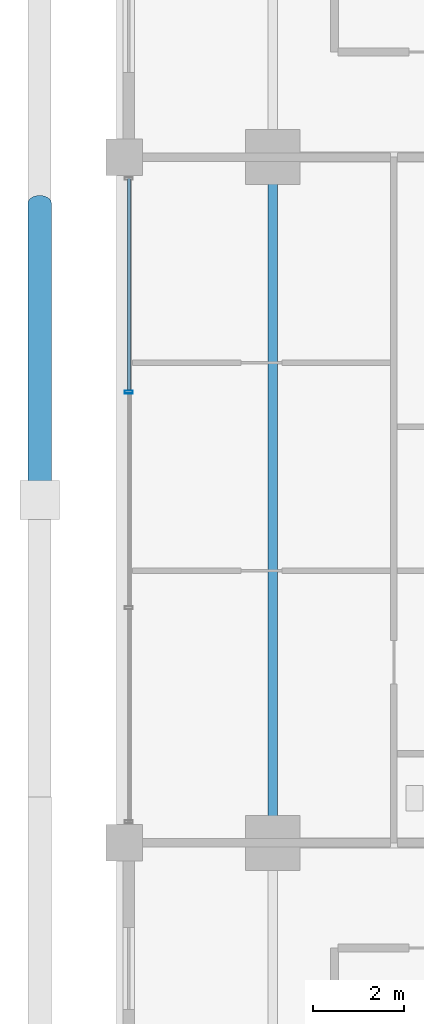
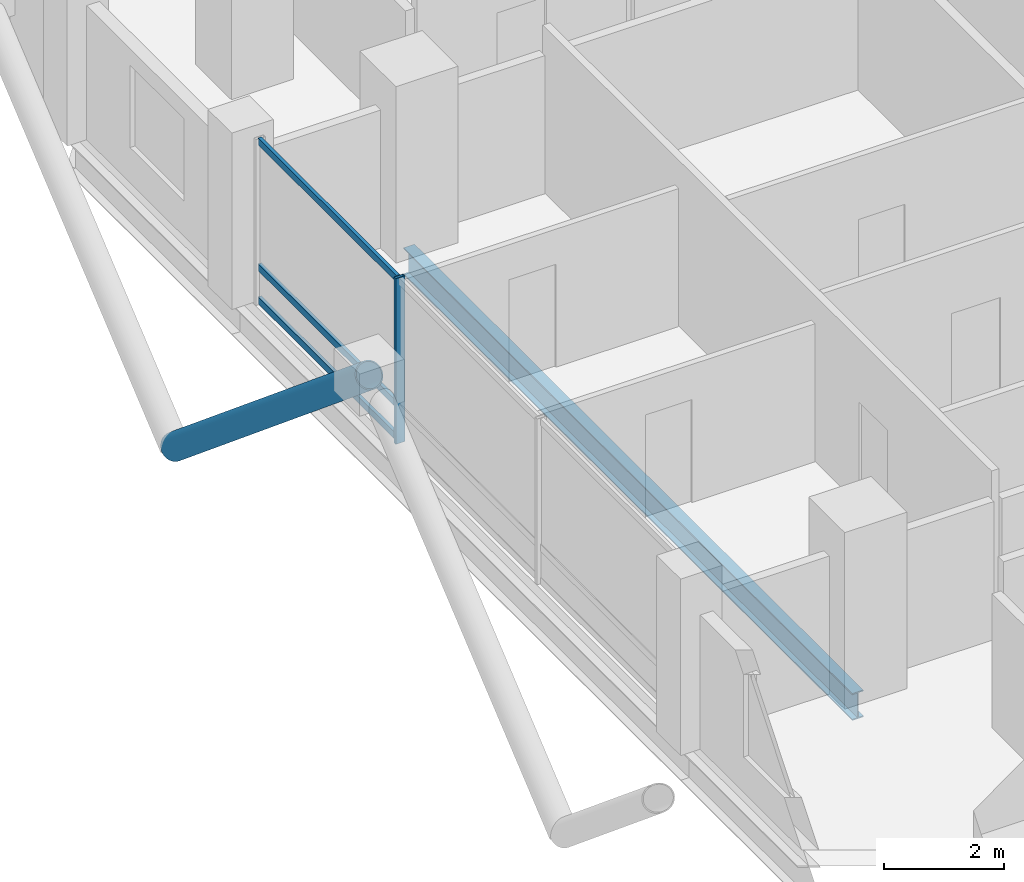
# One storey, part 6 of 23: 5 members, 1 beam, 1 element without a shape of its own.
"""IFC4 building model written with IfcOpenShell, lengths in metres."""

from ifc_helpers import new_model, si_unit, direction, frame, origin, origin_2d, place, context, subcontext, project, spatial, hollow_rectangle, hollow_circle, i_section, extrude, material, layer, layer_set, material_profile, profile_set, type_object, element, aggregate, save


model = new_model("IFC4")

# Units and contexts
model_context = context("Model", 3, precision=1e-05, world=origin(), true_north=direction((0.0, 1.0)))
body_context = subcontext(model_context, "Body", "Model", "MODEL_VIEW")
ifc_project = project(units=[si_unit("LENGTHUNIT", "METRE"), si_unit("AREAUNIT", "SQUARE_METRE"), si_unit("VOLUMEUNIT", "CUBIC_METRE"), si_unit("PLANEANGLEUNIT", "RADIAN"), si_unit("MASSUNIT", "GRAM", prefix="KILO")], contexts=[model_context])

# Site, building, storey
site_placement = place(None, origin())
site = spatial("IfcSite", under=ifc_project, at=site_placement, CompositionType="ELEMENT")
building_placement = place(site_placement, origin())
building = spatial("IfcBuilding", under=site, at=building_placement, Name="Barlavira Tower and Art Museum", CompositionType="ELEMENT")
storey_placement = place(building_placement, frame((0.0, 0.0, 140.39990234375)))
storey = spatial("IfcBuildingStorey", under=building, at=storey_placement, Name="L35", CompositionType="ELEMENT", Elevation=140.39990234375)

# Curtain wall, members
ifc_material_1 = material(Name="Low-iron coastal laminated glass", Category="glass")
ifc_layer = layer(ifc_material_1, 0.18994140625, Name="Low-iron coastal laminated glass")
ifc_layer_set = layer_set([ifc_layer], Name="Low-iron coastal laminated glass")
curtain_wall_type = type_object("IfcCurtainWallType", Name="Pale-Metal Unitised Curtain Wall Zone 2", PredefinedType="NOTDEFINED", material=ifc_layer_set)
curtain_wall_placement = place(storey_placement, origin())
curtain_wall = element("IfcCurtainWall", 1, at=curtain_wall_placement, inside=storey, type_object=curtain_wall_type, Name="L35 Curtain Wall CW2-L35-W-B3", PredefinedType="NOTDEFINED")
ifc_material_2 = material(Name="Pale anodised aluminium", Category="aluminium")
ifc_material_profile_1 = material_profile(ifc_material_2, hollow_rectangle(XDim=0.06494140625, YDim=0.179931640625, WallThickness=0.00390625, at=origin_2d()), Name="ALU-MULL 65x180x4")
ifc_profile_set_1 = profile_set([ifc_material_profile_1], Name="Pale anodised aluminium")
member_type_1 = type_object("IfcMemberType", Name="Curtain Wall Pale-Metal Mullion 65x180", PredefinedType="MULLION", material=ifc_profile_set_1)
member_1_placement = place(storey_placement, frame((-20.14990234375, 2.360107421875, 0.0), z_axis=(0.0, 0.0, 1.0), x_axis=(0.0, -1.0, 0.0)))
member_1 = element("IfcMember", 2, at=member_1_placement, type_object=member_type_1, Name="CW2-L35-W-B3 Mullion 1", PredefinedType="MULLION", context=body_context, shape_type="SweptSolid", body=[
    extrude(hollow_rectangle(XDim=0.06494140625, YDim=0.179931640625, WallThickness=0.00390625, at=origin_2d()), origin(), (0.0, 0.0, 1.0), 3.380126953125),
])
ifc_material_profile_2 = material_profile(ifc_material_2, hollow_rectangle(XDim=0.06494140625, YDim=0.139892578125, WallThickness=0.00390625, at=origin_2d()), Name="ALU-TRAN 65x140x4")
ifc_profile_set_2 = profile_set([ifc_material_profile_2], Name="Pale anodised aluminium")
member_type_2 = type_object("IfcMemberType", Name="Curtain Wall Pale-Metal Transom 65x140", PredefinedType="USERDEFINED", material=ifc_profile_set_2)
member_2_placement = place(storey_placement, frame((-20.14990234375, 7.034912109375, 0.070068359375), z_axis=(0.0, -1.0, 0.0), x_axis=(1.0, 0.0, 0.0)))
member_2 = element("IfcMember", 3, at=member_2_placement, type_object=member_type_2, Name="CW2-L35-W-B3 Transom 0.1", ObjectType="TRANSOM", PredefinedType="USERDEFINED", context=body_context, shape_type="SweptSolid", body=[
    extrude(hollow_rectangle(XDim=0.06494140625, YDim=0.139892578125, WallThickness=0.00390625, at=origin_2d()), origin(), (0.0, 0.0, 1.0), 4.6298828125),
])
member_3_placement = place(storey_placement, frame((-20.14990234375, 7.034912109375, 0.744140625), z_axis=(0.0, -1.0, 0.0), x_axis=(1.0, 0.0, 0.0)))
member_3 = element("IfcMember", 4, at=member_3_placement, type_object=member_type_2, Name="CW2-L35-W-B3 Transom 0.2", ObjectType="TRANSOM", PredefinedType="USERDEFINED", context=body_context, shape_type="SweptSolid", body=[
    extrude(hollow_rectangle(XDim=0.06494140625, YDim=0.139892578125, WallThickness=0.00390625, at=origin_2d()), origin(), (0.0, 0.0, 1.0), 4.6298828125),
])
member_4_placement = place(storey_placement, frame((-20.14990234375, 7.034912109375, 3.31005859375), z_axis=(0.0, -1.0, 0.0), x_axis=(1.0, 0.0, 0.0)))
member_4 = element("IfcMember", 5, at=member_4_placement, type_object=member_type_2, Name="CW2-L35-W-B3 Transom 0.3", ObjectType="TRANSOM", PredefinedType="USERDEFINED", context=body_context, shape_type="SweptSolid", body=[
    extrude(hollow_rectangle(XDim=0.06494140625, YDim=0.139892578125, WallThickness=0.00390625, at=origin_2d()), origin(), (0.0, 0.0, 1.0), 4.6298828125),
])
aggregate(curtain_wall, [member_1, member_2, member_3, member_4])

# Member
ifc_material_3 = material(Name="Steel S355", Category="steel")
ifc_material_profile_3 = material_profile(ifc_material_3, hollow_circle(Radius=0.25390625, WallThickness=0.022216796875, at=origin_2d()), Name="CHS 508.0x22.2")
ifc_profile_set_3 = profile_set([ifc_material_profile_3], Name="Steel S355")
member_type_3 = type_object("IfcMemberType", Name="Pale-Metal Exoskeleton Diagrid Tube CHS 508x22 Steel S355", PredefinedType="BRACE", material=ifc_profile_set_3)
member_5_placement = place(storey_placement, frame((-22.10009765625, 6.5, -1.919921875), z_axis=(0.0, -0.769196053329, 0.639012857104), x_axis=(1.0, 0.0, 0.0)))
element("IfcMember", 6, at=member_5_placement, inside=storey, type_object=member_type_3, Name="L35 Exoskeleton Diagrid Tube W", PredefinedType="BRACE", context=body_context, shape_type="SweptSolid", body=[
    extrude(hollow_circle(Radius=0.25390625, WallThickness=0.022216796875, at=origin_2d()), origin(), (0.0, 0.0, 1.0), 8.450439453125),
])

# Beam
ifc_material_profile_4 = material_profile(ifc_material_3, i_section(OverallWidth=0.214111328125, OverallDepth=0.549072265625, WebThickness=0.0146484375, FlangeThickness=0.023681640625, at=origin_2d()), Name="W530x138.0")
ifc_profile_set_4 = profile_set([ifc_material_profile_4], Name="Steel S355")
beam_type = type_object("IfcBeamType", Name="Zone 1 Primary Floor Girder W530x138 Steel S355", PredefinedType="BEAM", material=ifc_profile_set_4)
beam_placement = place(storey_placement, frame((-17.0, -7.5, -0.494384765625), z_axis=(0.0, 1.0, 0.0), x_axis=(-1.0, 0.0, 0.0)))
element("IfcBeam", 7, at=beam_placement, inside=storey, type_object=beam_type, Name="L35 Girder M-W2", PredefinedType="BEAM", context=body_context, shape_type="SweptSolid", body=[
    extrude(i_section(OverallWidth=0.214111328125, OverallDepth=0.549072265625, WebThickness=0.0146484375, FlangeThickness=0.023681640625, at=origin_2d()), origin(), (0.0, 0.0, 1.0), 15.0),
])

save(model, "model.ifc")
